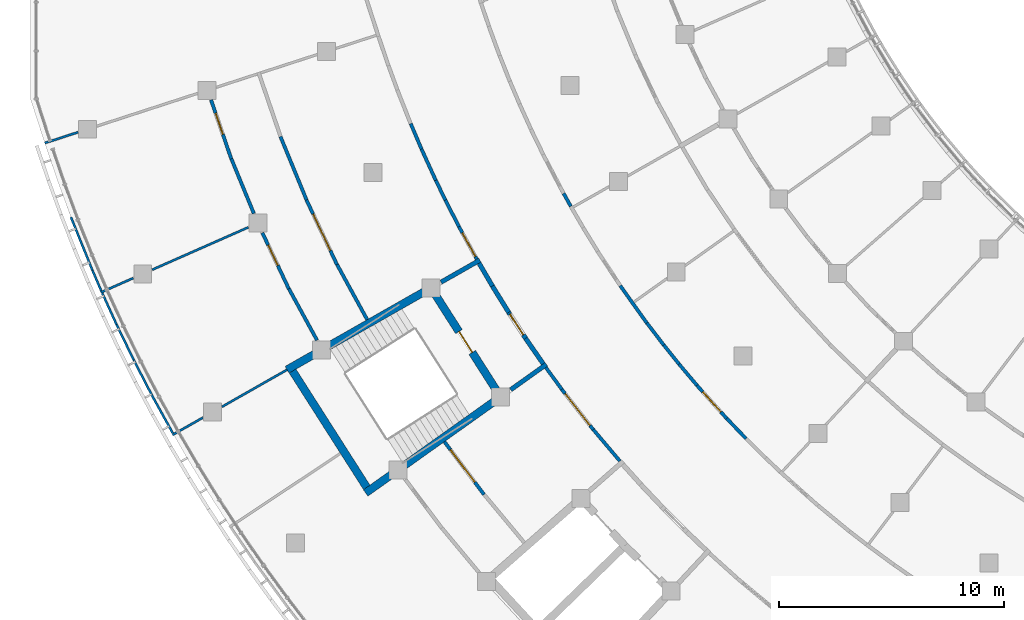
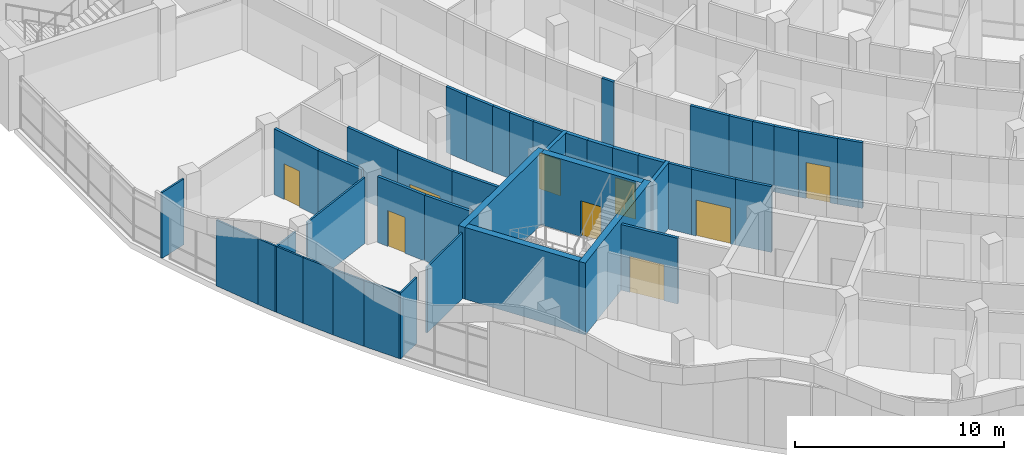
# One storey, part 53 of 109: 44 walls, 9 doors, 9 openings.
"""IFC4 building model written with IfcOpenShell, lengths in metres."""

from ifc_helpers import new_model, si_unit, direction, frame, frame_2d, origin, place, context, subcontext, project, spatial, rectangle, extrude, material, layer, layer_set, type_object, element, fill, save


model = new_model("IFC4")

# Units and contexts
model_context = context("Model", 3, precision=1e-05, world=origin(), true_north=direction((0.0, 1.0)))
body_context = subcontext(model_context, "Body", "Model", "MODEL_VIEW")
ifc_project = project(units=[si_unit("LENGTHUNIT", "METRE"), si_unit("AREAUNIT", "SQUARE_METRE"), si_unit("VOLUMEUNIT", "CUBIC_METRE"), si_unit("PLANEANGLEUNIT", "RADIAN"), si_unit("MASSUNIT", "GRAM", prefix="KILO")], contexts=[model_context])

# Site, building, storey
site_placement = place(None, origin())
site = spatial("IfcSite", under=ifc_project, at=site_placement, CompositionType="ELEMENT")
building_placement = place(site_placement, origin())
building = spatial("IfcBuilding", under=site, at=building_placement, Name="Bougainvillea Quay General Hospital", CompositionType="ELEMENT")
storey_placement = place(building_placement, frame((0.0, 0.0, 12.60009765625)))
storey = spatial("IfcBuildingStorey", under=building, at=storey_placement, Name="L02", CompositionType="ELEMENT", Elevation=12.60009765625)

# Walls
ifc_material_1 = material(Name="Gypsum board partition on steel studs", Category="steel")
ifc_layer_1 = layer(ifc_material_1, 0.10009765625)
ifc_layer_set_1 = layer_set([ifc_layer_1], Name="Gypsum board partition on steel studs")
wall_type_1 = type_object("IfcWallType", Name="Partition 100 Gypsum board partition EI 30", PredefinedType="PARTITIONING", material=ifc_layer_set_1)
wall_1_placement = place(storey_placement, frame((42.6259765625, 104.368896484375, 0.0), z_axis=(0.0, 0.0, 1.0), x_axis=(0.951042089894, 0.309061390748, 0.0)))
element("IfcWall", 1, at=wall_1_placement, inside=storey, type_object=wall_type_1, Name="Partition 100 mm EI 30", PredefinedType="PARTITIONING", context=body_context, shape_type="SweptSolid", body=[
    extrude(rectangle(XDim=1.565673828125, YDim=0.10009765625, at=frame_2d((0.78271484375, 0.0))), origin(), (0.0, 0.0, 1.0), 3.849853515625),
])
wall_2_placement = place(storey_placement, frame((48.3125, 91.371337890625, 0.0), z_axis=(0.0, 0.0, 1.0), x_axis=(0.869234661703, 0.494399739981, 0.0)))
element("IfcWall", 2, at=wall_2_placement, inside=storey, type_object=wall_type_1, Name="Partition 100 mm EI 30", PredefinedType="PARTITIONING", context=body_context, shape_type="SweptSolid", body=[
    extrude(rectangle(XDim=1.557861328125, YDim=0.10009765625, at=frame_2d((0.77880859375, 0.0))), origin(), (0.0, 0.0, 1.0), 3.849853515625),
])
wall_3_placement = place(storey_placement, frame((50.51513671875, 92.624267578125, 0.0), z_axis=(0.0, 0.0, 1.0), x_axis=(0.869240805435, 0.494388938152, 0.0)))
element("IfcWall", 3, at=wall_3_placement, inside=storey, type_object=wall_type_1, Name="Partition 100 mm EI 30", PredefinedType="PARTITIONING", context=body_context, shape_type="SweptSolid", body=[
    extrude(rectangle(XDim=3.337158203125, YDim=0.10009765625, at=frame_2d((1.66845703125, 0.0))), origin(), (0.0, 0.0, 1.0), 3.849853515625),
])
wall_4_placement = place(storey_placement, frame((45.1171875, 97.71484375, 0.0), z_axis=(0.0, 0.0, 1.0), x_axis=(0.914854349244, 0.403784001254, 0.0)))
element("IfcWall", 4, at=wall_4_placement, inside=storey, type_object=wall_type_1, Name="Partition 100 mm EI 30", PredefinedType="PARTITIONING", context=body_context, shape_type="SweptSolid", body=[
    extrude(rectangle(XDim=1.58837890625, YDim=0.10009765625, at=frame_2d((0.794189453125, 0.0))), origin(), (0.0, 0.0, 1.0), 3.849853515625),
])
wall_5_placement = place(storey_placement, frame((47.409912109375, 98.726806640625, 0.0), z_axis=(0.0, 0.0, 1.0), x_axis=(0.914855501136, 0.403781391401, 0.0)))
element("IfcWall", 5, at=wall_5_placement, inside=storey, type_object=wall_type_1, Name="Partition 100 mm EI 30", PredefinedType="PARTITIONING", context=body_context, shape_type="SweptSolid", body=[
    extrude(rectangle(XDim=4.682861328125, YDim=0.10009765625, at=frame_2d((2.34130859375, 0.0))), origin(), (0.0, 0.0, 1.0), 3.849853515625),
])
wall_6_placement = place(storey_placement, frame((43.791015625, 101.069091796875, 0.0), z_axis=(0.0, 0.0, 1.0), x_axis=(0.374360148829, -0.927283386549, 0.0)))
element("IfcWall", 6, at=wall_6_placement, inside=storey, type_object=wall_type_1, Name="Partition 100 mm EI 30", PredefinedType="PARTITIONING", context=body_context, shape_type="SweptSolid", body=[
    extrude(rectangle(XDim=2.5498046875, YDim=0.10009765625, at=frame_2d((1.27490234375, 0.0))), origin(), (0.0, 0.0, 1.0), 3.849853515625),
])
wall_7_placement = place(storey_placement, frame((47.3837890625, 93.15771484375, 0.0), z_axis=(0.0, 0.0, 1.0), x_axis=(0.483136563149, -0.87554500818, 0.0)))
element("IfcWall", 7, at=wall_7_placement, inside=storey, type_object=wall_type_1, Name="Partition 100 mm EI 30", PredefinedType="PARTITIONING", context=body_context, shape_type="SweptSolid", body=[
    extrude(rectangle(XDim=1.961669921875, YDim=0.10009765625, at=frame_2d((0.98095703125, 0.0))), origin(), (0.0, 0.0, 1.0), 3.849853515625),
])
wall_8_placement = place(storey_placement, frame((46.5830078125, 94.71240234375, 0.0), z_axis=(0.0, 0.0, 1.0), x_axis=(0.458671346527, -0.888605984604, 0.0)))
element("IfcWall", 8, at=wall_8_placement, inside=storey, type_object=wall_type_1, Name="Partition 100 mm EI 30", PredefinedType="PARTITIONING", context=body_context, shape_type="SweptSolid", body=[
    extrude(rectangle(XDim=1.750244140625, YDim=0.10009765625, at=frame_2d((0.875, 0.0))), origin(), (0.0, 0.0, 1.0), 3.849853515625),
])
wall_9_placement = place(storey_placement, frame((45.8203125, 96.285888671875, 0.0), z_axis=(0.0, 0.0, 1.0), x_axis=(0.436858804859, -0.899530091002, 0.0)))
element("IfcWall", 9, at=wall_9_placement, inside=storey, type_object=wall_type_1, Name="Partition 100 mm EI 30", PredefinedType="PARTITIONING", context=body_context, shape_type="SweptSolid", body=[
    extrude(rectangle(XDim=1.749755859375, YDim=0.10009765625, at=frame_2d((0.875, 0.0))), origin(), (0.0, 0.0, 1.0), 3.849853515625),
])
wall_10_placement = place(storey_placement, frame((45.183837890625, 97.68896484375, 0.0), z_axis=(0.0, 0.0, 1.0), x_axis=(0.413779082593, -0.910377323316, 0.0)))
element("IfcWall", 10, at=wall_10_placement, inside=storey, type_object=wall_type_1, Name="Partition 100 mm EI 30", PredefinedType="PARTITIONING", context=body_context, shape_type="SweptSolid", body=[
    extrude(rectangle(XDim=1.541748046875, YDim=0.10009765625, at=frame_2d((0.77099609375, 0.0))), origin(), (0.0, 0.0, 1.0), 3.849853515625),
])
wall_11_placement = place(storey_placement, frame((44.746337890625, 98.7060546875, 0.0), z_axis=(0.0, 0.0, 1.0), x_axis=(0.394329278157, -0.918969216235, 0.0)))
element("IfcWall", 11, at=wall_11_placement, inside=storey, type_object=wall_type_1, Name="Partition 100 mm EI 30", PredefinedType="PARTITIONING", context=body_context, shape_type="SweptSolid", body=[
    extrude(rectangle(XDim=1.006103515625, YDim=0.10009765625, at=frame_2d((0.5029296875, 0.0))), origin(), (0.0, 0.0, 1.0), 3.849853515625),
])

# Wall, opening, door
ifc_material_2 = material(Name="Gypsum board partition on steel studs, insulated", Category="steel")
ifc_layer_2 = layer(ifc_material_2, 0.14990234375)
ifc_layer_set_2 = layer_set([ifc_layer_2], Name="Gypsum board partition on steel studs, insulated")
wall_type_2 = type_object("IfcWallType", Name="Partition 150 Gypsum board partition EI 30", PredefinedType="PARTITIONING", material=ifc_layer_set_2)
wall_12_placement = place(storey_placement, frame((50.03076171875, 106.2890625, 0.0), z_axis=(0.0, 0.0, 1.0), x_axis=(0.324824658283, -0.945774254974, 0.0)))
wall_12 = element("IfcWall", 12, at=wall_12_placement, inside=storey, type_object=wall_type_2, Name="Partition 150 mm EI 30", PredefinedType="PARTITIONING", context=body_context, shape_type="SweptSolid", body=[
    extrude(rectangle(XDim=2.78173828125, YDim=0.14990234375, at=frame_2d((1.390869140625, 0.0))), origin(), (0.0, 0.0, 1.0), 3.849853515625),
])
opening_1_placement = place(wall_12_placement, frame((0.62451171875, 0.0, 0.0)))
opening_1 = element("IfcOpeningElement", 13, at=opening_1_placement, cuts=wall_12, Name="Opening L02.207", PredefinedType="OPENING", context=body_context, shape_type="SweptSolid", body=[
    extrude(rectangle(XDim=1.0, YDim=2.10009765625, at=frame_2d((0.5, 1.050048828125))), frame((0.0, 0.0849609375, 0.0), z_axis=(0.0, -1.0, 0.0), x_axis=(1.0, 0.0, 0.0)), (0.0, 0.0, 1.0), 0.169921875),
])
ifc_material_3 = material(Name="Solid-core timber door leaf in steel frame", Category="steel")
door_type_1 = type_object("IfcDoorType", Name="Single leaf door 1000x2100 FD30S", OperationType="NOTDEFINED", PredefinedType="DOOR", material=ifc_material_3)
door_1_placement = place(opening_1_placement, frame((1.0, 0.0, 0.0), z_axis=(0.0, 0.0, 1.0), x_axis=(-1.0, 0.0, 0.0)))
door_1 = element("IfcDoor", 14, at=door_1_placement, inside=storey, type_object=door_type_1, Name="DT15 L02.207", OperationType="SINGLE_SWING_RIGHT", OverallHeight=2.10009765625, OverallWidth=1.0, PredefinedType="DOOR", context=body_context, shape_type="SweptSolid", body=[
    extrude(rectangle(XDim=1.0, YDim=2.10009765625, at=frame_2d((0.5, 1.050048828125))), frame((0.0, 0.02490234375, 0.0), z_axis=(0.0, -1.0, 0.0), x_axis=(1.0, 0.0, 0.0)), (0.0, 0.0, 1.0), 0.050048828125),
])
fill(opening_1, door_1)

wall_13_placement = place(storey_placement, frame((52.3173828125, 100.37158203125, 0.0), z_axis=(0.0, 0.0, 1.0), x_axis=(0.426699152938, -0.904393627179, 0.0)))
wall_13 = element("IfcWall", 15, at=wall_13_placement, inside=storey, type_object=wall_type_2, Name="Partition 150 mm EI 30", PredefinedType="PARTITIONING", context=body_context, shape_type="SweptSolid", body=[
    extrude(rectangle(XDim=2.762451171875, YDim=0.14990234375, at=frame_2d((1.38134765625, 0.0))), origin(), (0.0, 0.0, 1.0), 3.849853515625),
])
opening_2_placement = place(wall_13_placement, frame((0.605224609375, 0.0, 0.0)))
opening_2 = element("IfcOpeningElement", 16, at=opening_2_placement, cuts=wall_13, Name="Opening L02.206", PredefinedType="OPENING", context=body_context, shape_type="SweptSolid", body=[
    extrude(rectangle(XDim=1.0, YDim=2.10009765625, at=frame_2d((0.5, 1.050048828125))), frame((0.0, 0.0849609375, 0.0), z_axis=(0.0, -1.0, 0.0), x_axis=(1.0, 0.0, 0.0)), (0.0, 0.0, 1.0), 0.169921875),
])
door_2_placement = place(opening_2_placement, frame((1.0, 0.0, 0.0), z_axis=(0.0, 0.0, 1.0), x_axis=(-1.0, 0.0, 0.0)))
door_2 = element("IfcDoor", 17, at=door_2_placement, inside=storey, type_object=door_type_1, Name="DT15 L02.206", OperationType="SINGLE_SWING_RIGHT", OverallHeight=2.10009765625, OverallWidth=1.0, PredefinedType="DOOR", context=body_context, shape_type="SweptSolid", body=[
    extrude(rectangle(XDim=1.0, YDim=2.10009765625, at=frame_2d((0.5, 1.050048828125))), frame((0.0, 0.02490234375, 0.0), z_axis=(0.0, -1.0, 0.0), x_axis=(1.0, 0.0, 0.0)), (0.0, 0.0, 1.0), 0.050048828125),
])
fill(opening_2, door_2)

# Walls
wall_14_placement = place(storey_placement, frame((50.93701171875, 103.66357421875, 0.0), z_axis=(0.0, 0.0, 1.0), x_axis=(0.380525729279, -0.924770333302, 0.0)))
element("IfcWall", 18, at=wall_14_placement, inside=storey, type_object=wall_type_2, Name="Partition 150 mm EI 30", PredefinedType="PARTITIONING", context=body_context, shape_type="SweptSolid", body=[
    extrude(rectangle(XDim=2.630615234375, YDim=0.14990234375, at=frame_2d((1.3154296875, 0.0))), origin(), (0.0, 0.0, 1.0), 3.849853515625),
])
wall_15_placement = place(storey_placement, frame((53.497802734375, 97.87890625, 0.0), z_axis=(0.0, 0.0, 1.0), x_axis=(0.479886541842, -0.877330557407, 0.0)))
element("IfcWall", 19, at=wall_15_placement, inside=storey, type_object=wall_type_2, Name="Partition 150 mm EI 30", PredefinedType="PARTITIONING", context=body_context, shape_type="SweptSolid", body=[
    extrude(rectangle(XDim=2.61181640625, YDim=0.14990234375, at=frame_2d((1.305908203125, 0.0))), origin(), (0.0, 0.0, 1.0), 3.849853515625),
])

# Wall, opening, door
wall_16_placement = place(storey_placement, frame((54.277099609375, 101.83984375, 0.0), z_axis=(0.0, 0.0, 1.0), x_axis=(0.426790955489, -0.904350308405, 0.0)))
wall_16 = element("IfcWall", 20, at=wall_16_placement, inside=storey, type_object=wall_type_2, Name="Partition 150 mm EI 30", PredefinedType="PARTITIONING", context=body_context, shape_type="SweptSolid", body=[
    extrude(rectangle(XDim=3.193115234375, YDim=0.14990234375, at=frame_2d((1.5966796875, 0.0))), origin(), (0.0, 0.0, 1.0), 3.849853515625),
])
opening_3_placement = place(wall_16_placement, frame((0.696533203125, 0.0, 0.0)))
opening_3 = element("IfcOpeningElement", 21, at=opening_3_placement, cuts=wall_16, Name="Opening L02.177", PredefinedType="OPENING", context=body_context, shape_type="SweptSolid", body=[
    extrude(rectangle(XDim=1.800048828125, YDim=2.10009765625, at=frame_2d((0.89990234375, 1.050048828125))), frame((0.0, 0.0849609375, 0.0), z_axis=(0.0, -1.0, 0.0), x_axis=(1.0, 0.0, 0.0)), (0.0, 0.0, 1.0), 0.169921875),
])
ifc_material_4 = material(Name="Solid-core timber door leaves in steel frame", Category="steel")
door_type_2 = type_object("IfcDoorType", Name="Double leaf door 1800x2100", OperationType="DOUBLE_DOOR_SINGLE_SWING", PredefinedType="DOOR", material=ifc_material_4)
door_3_placement = place(opening_3_placement, frame((1.800048828125, 0.0, 0.0), z_axis=(0.0, 0.0, 1.0), x_axis=(-1.0, 0.0, 0.0)))
door_3 = element("IfcDoor", 22, at=door_3_placement, inside=storey, type_object=door_type_2, Name="DT08 L02.177", OperationType="DOUBLE_DOOR_SINGLE_SWING", OverallHeight=2.10009765625, OverallWidth=1.800048828125, PredefinedType="DOOR", context=body_context, shape_type="SweptSolid", body=[
    extrude(rectangle(XDim=1.800048828125, YDim=2.10009765625, at=frame_2d((0.89990234375, 1.050048828125))), frame((0.0, 0.02490234375, 0.0), z_axis=(0.0, -1.0, 0.0), x_axis=(1.0, 0.0, 0.0)), (0.0, 0.0, 1.0), 0.050048828125),
])
fill(opening_3, door_3)

# Wall
wall_17_placement = place(storey_placement, frame((53.12255859375, 104.655517578125, 0.0), z_axis=(0.0, 0.0, 1.0), x_axis=(0.380463637507, -0.92479588047, 0.0)))
element("IfcWall", 23, at=wall_17_placement, inside=storey, type_object=wall_type_2, Name="Partition 150 mm EI 30", PredefinedType="PARTITIONING", context=body_context, shape_type="SweptSolid", body=[
    extrude(rectangle(XDim=3.046875, YDim=0.14990234375, at=frame_2d((1.5234375, 0.0))), origin(), (0.0, 0.0, 1.0), 3.849853515625),
])

# Wall, opening, door
wall_18_placement = place(storey_placement, frame((60.4228515625, 91.06787109375, 0.0), z_axis=(0.0, 0.0, 1.0), x_axis=(0.600119519183, -0.799910346661, 0.0)))
wall_18 = element("IfcWall", 24, at=wall_18_placement, inside=storey, type_object=wall_type_2, Name="Partition 150 mm EI 30", PredefinedType="PARTITIONING", context=body_context, shape_type="SweptSolid", body=[
    extrude(rectangle(XDim=2.94140625, YDim=0.14990234375, at=frame_2d((1.470703125, 0.0))), origin(), (0.0, 0.0, 1.0), 3.849853515625),
])
opening_4_placement = place(wall_18_placement, frame((0.44482421875, 0.0, 0.0)))
opening_4 = element("IfcOpeningElement", 25, at=opening_4_placement, cuts=wall_18, Name="Opening L02.176", PredefinedType="OPENING", context=body_context, shape_type="SweptSolid", body=[
    extrude(rectangle(XDim=1.800048828125, YDim=2.10009765625, at=frame_2d((0.89990234375, 1.050048828125))), frame((0.0, 0.0849609375, 0.0), z_axis=(0.0, -1.0, 0.0), x_axis=(1.0, 0.0, 0.0)), (0.0, 0.0, 1.0), 0.169921875),
])
door_4_placement = place(opening_4_placement, frame((1.800048828125, 0.0, 0.0), z_axis=(0.0, 0.0, 1.0), x_axis=(-1.0, 0.0, 0.0)))
door_4 = element("IfcDoor", 26, at=door_4_placement, inside=storey, type_object=door_type_2, Name="DT08 L02.176", OperationType="DOUBLE_DOOR_SINGLE_SWING", OverallHeight=2.10009765625, OverallWidth=1.800048828125, PredefinedType="DOOR", context=body_context, shape_type="SweptSolid", body=[
    extrude(rectangle(XDim=1.800048828125, YDim=2.10009765625, at=frame_2d((0.89990234375, 1.050048828125))), frame((0.0, 0.02490234375, 0.0), z_axis=(0.0, -1.0, 0.0), x_axis=(1.0, 0.0, 0.0)), (0.0, 0.0, 1.0), 0.050048828125),
])
fill(opening_4, door_4)

# Wall
wall_19_placement = place(storey_placement, frame((55.64208984375, 98.9580078125, 0.0), z_axis=(0.0, 0.0, 1.0), x_axis=(0.479861725731, -0.877344130988, 0.0)))
element("IfcWall", 27, at=wall_19_placement, inside=storey, type_object=wall_type_2, Name="Partition 150 mm EI 30", PredefinedType="PARTITIONING", context=body_context, shape_type="SweptSolid", body=[
    extrude(rectangle(XDim=2.794677734375, YDim=0.14990234375, at=frame_2d((1.3974609375, 0.0))), origin(), (0.0, 0.0, 1.0), 3.849853515625),
])

# Wall, opening, door
wall_20_placement = place(storey_placement, frame((65.646728515625, 93.401123046875, 0.0), z_axis=(0.0, 0.0, 1.0), x_axis=(0.615999292534, -0.787746705228, 0.0)))
wall_20 = element("IfcWall", 28, at=wall_20_placement, inside=storey, type_object=wall_type_2, Name="Partition 150 mm EI 30", PredefinedType="PARTITIONING", context=body_context, shape_type="SweptSolid", body=[
    extrude(rectangle(XDim=2.280029296875, YDim=0.14990234375, at=frame_2d((1.14013671875, 0.0))), origin(), (0.0, 0.0, 1.0), 3.849853515625),
])
opening_5_placement = place(wall_20_placement, frame((0.239990234375, 0.0, 0.0)))
opening_5 = element("IfcOpeningElement", 29, at=opening_5_placement, cuts=wall_20, Name="Opening L02.190", PredefinedType="OPENING", context=body_context, shape_type="SweptSolid", body=[
    extrude(rectangle(XDim=1.800048828125, YDim=2.10009765625, at=frame_2d((0.89990234375, 1.050048828125))), frame((0.0, 0.0849609375, 0.0), z_axis=(0.0, -1.0, 0.0), x_axis=(1.0, 0.0, 0.0)), (0.0, 0.0, 1.0), 0.169921875),
])
door_5_placement = place(opening_5_placement, origin())
door_5 = element("IfcDoor", 30, at=door_5_placement, inside=storey, type_object=door_type_2, Name="DT08 L02.190", OperationType="DOUBLE_DOOR_SINGLE_SWING", OverallHeight=2.10009765625, OverallWidth=1.800048828125, PredefinedType="DOOR", context=body_context, shape_type="SweptSolid", body=[
    extrude(rectangle(XDim=1.800048828125, YDim=2.10009765625, at=frame_2d((0.89990234375, 1.050048828125))), frame((0.0, 0.02490234375, 0.0), z_axis=(0.0, -1.0, 0.0), x_axis=(1.0, 0.0, 0.0)), (0.0, 0.0, 1.0), 0.050048828125),
])
fill(opening_5, door_5)

# Walls
wall_21_placement = place(storey_placement, frame((67.051513671875, 91.60888671875, 0.0), z_axis=(0.0, 0.0, 1.0), x_axis=(0.645369063346, -0.763870913228, 0.0)))
element("IfcWall", 31, at=wall_21_placement, inside=storey, type_object=wall_type_2, Name="Partition 150 mm EI 30", PredefinedType="PARTITIONING", context=body_context, shape_type="SweptSolid", body=[
    extrude(rectangle(XDim=1.83349609375, YDim=0.14990234375, at=frame_2d((0.916748046875, 0.0))), origin(), (0.0, 0.0, 1.0), 3.849853515625),
])
wall_22_placement = place(storey_placement, frame((68.247314453125, 98.02001953125, 0.0), z_axis=(0.0, 0.0, 1.0), x_axis=(0.580842026392, -0.81401630228, 0.0)))
element("IfcWall", 32, at=wall_22_placement, inside=storey, type_object=wall_type_2, Name="Partition 150 mm EI 30", PredefinedType="PARTITIONING", context=body_context, shape_type="SweptSolid", body=[
    extrude(rectangle(XDim=2.040771484375, YDim=0.14990234375, at=frame_2d((1.0205078125, 0.0))), origin(), (0.0, 0.0, 1.0), 3.849853515625),
])

# Wall, opening, door
wall_23_placement = place(storey_placement, frame((71.666748046875, 93.576904296875, 0.0), z_axis=(0.0, 0.0, 1.0), x_axis=(0.668733315137, -0.743502355898, 0.0)))
wall_23 = element("IfcWall", 33, at=wall_23_placement, inside=storey, type_object=wall_type_2, Name="Partition 150 mm EI 30", PredefinedType="PARTITIONING", context=body_context, shape_type="SweptSolid", body=[
    extrude(rectangle(XDim=1.98193359375, YDim=0.14990234375, at=frame_2d((0.990966796875, 0.0))), origin(), (0.0, 0.0, 1.0), 3.849853515625),
])
opening_6_placement = place(wall_23_placement, frame((0.390869140625, 0.0, 0.0)))
opening_6 = element("IfcOpeningElement", 34, at=opening_6_placement, cuts=wall_23, Name="Opening L02.193", PredefinedType="OPENING", context=body_context, shape_type="SweptSolid", body=[
    extrude(rectangle(XDim=1.199951171875, YDim=2.10009765625, at=frame_2d((0.60009765625, 1.050048828125))), frame((0.0, 0.0849609375, 0.0), z_axis=(0.0, -1.0, 0.0), x_axis=(1.0, 0.0, 0.0)), (0.0, 0.0, 1.0), 0.169921875),
])
door_type_3 = type_object("IfcDoorType", Name="Single leaf door 1200x2100", OperationType="NOTDEFINED", PredefinedType="DOOR", material=ifc_material_3)
door_6_placement = place(opening_6_placement, frame((1.199951171875, 0.0, 0.0), z_axis=(0.0, 0.0, 1.0), x_axis=(-1.0, 0.0, 0.0)))
door_6 = element("IfcDoor", 35, at=door_6_placement, inside=storey, type_object=door_type_3, Name="DT13 L02.193", OperationType="SINGLE_SWING_RIGHT", OverallHeight=2.10009765625, OverallWidth=1.199951171875, PredefinedType="DOOR", context=body_context, shape_type="SweptSolid", body=[
    extrude(rectangle(XDim=1.199951171875, YDim=2.10009765625, at=frame_2d((0.60009765625, 1.050048828125))), frame((0.0, 0.02490234375, 0.0), z_axis=(0.0, -1.0, 0.0), x_axis=(1.0, 0.0, 0.0)), (0.0, 0.0, 1.0), 0.050048828125),
])
fill(opening_6, door_6)

wall_24_placement = place(storey_placement, frame((61.07080078125, 100.640869140625, 0.0), z_axis=(0.0, 0.0, 1.0), x_axis=(0.481122709727, -0.876653259952, 0.0)))
wall_24 = element("IfcWall", 36, at=wall_24_placement, inside=storey, type_object=wall_type_2, Name="Partition 150 mm EI 30", PredefinedType="PARTITIONING", context=body_context, shape_type="SweptSolid", body=[
    extrude(rectangle(XDim=1.648681640625, YDim=0.14990234375, at=frame_2d((0.82421875, 0.0))), origin(), (0.0, 0.0, 1.0), 3.849853515625),
])
opening_7_placement = place(wall_24_placement, frame((0.312744140625, 0.0, 0.0)))
opening_7 = element("IfcOpeningElement", 37, at=opening_7_placement, cuts=wall_24, Name="Opening L02.191", PredefinedType="OPENING", context=body_context, shape_type="SweptSolid", body=[
    extrude(rectangle(XDim=1.199951171875, YDim=2.10009765625, at=frame_2d((0.60009765625, 1.050048828125))), frame((0.0, 0.0849609375, 0.0), z_axis=(0.0, -1.0, 0.0), x_axis=(1.0, 0.0, 0.0)), (0.0, 0.0, 1.0), 0.169921875),
])
door_7_placement = place(opening_7_placement, origin())
door_7 = element("IfcDoor", 38, at=door_7_placement, inside=storey, type_object=door_type_3, Name="DT13 L02.191", OperationType="SINGLE_SWING_RIGHT", OverallHeight=2.10009765625, OverallWidth=1.199951171875, PredefinedType="DOOR", context=body_context, shape_type="SweptSolid", body=[
    extrude(rectangle(XDim=1.199951171875, YDim=2.10009765625, at=frame_2d((0.60009765625, 1.050048828125))), frame((0.0, 0.02490234375, 0.0), z_axis=(0.0, -1.0, 0.0), x_axis=(1.0, 0.0, 0.0)), (0.0, 0.0, 1.0), 0.050048828125),
])
fill(opening_7, door_7)

# Walls
wall_25_placement = place(storey_placement, frame((64.939208984375, 94.373779296875, 0.0), z_axis=(0.0, 0.0, 1.0), x_axis=(0.589904843898, -0.807472770529, 0.0)))
element("IfcWall", 39, at=wall_25_placement, inside=storey, type_object=wall_type_2, Name="Partition 150 mm EI 30", PredefinedType="PARTITIONING", context=body_context, shape_type="SweptSolid", body=[
    extrude(rectangle(XDim=1.205078125, YDim=0.14990234375, at=frame_2d((0.6025390625, 0.0))), origin(), (0.0, 0.0, 1.0), 3.849853515625),
])
wall_26_placement = place(storey_placement, frame((59.40087890625, 104.101318359375, 0.0), z_axis=(0.0, 0.0, 1.0), x_axis=(0.415269380583, -0.909698489363, 0.0)))
element("IfcWall", 40, at=wall_26_placement, inside=storey, type_object=wall_type_2, Name="Partition 150 mm EI 30", PredefinedType="PARTITIONING", context=body_context, shape_type="SweptSolid", body=[
    extrude(rectangle(XDim=1.52978515625, YDim=0.14990234375, at=frame_2d((0.764892578125, 0.0))), origin(), (0.0, 0.0, 1.0), 3.849853515625),
])
wall_27_placement = place(storey_placement, frame((58.919677734375, 105.23486328125, 0.0), z_axis=(0.0, 0.0, 1.0), x_axis=(0.392150618993, -0.919901022949, 0.0)))
element("IfcWall", 41, at=wall_27_placement, inside=storey, type_object=wall_type_2, Name="Partition 150 mm EI 30", PredefinedType="PARTITIONING", context=body_context, shape_type="SweptSolid", body=[
    extrude(rectangle(XDim=1.2333984375, YDim=0.14990234375, at=frame_2d((0.61669921875, 0.0))), origin(), (0.0, 0.0, 1.0), 3.849853515625),
])
wall_28_placement = place(storey_placement, frame((60.461669921875, 101.831787109375, 0.0), z_axis=(0.0, 0.0, 1.0), x_axis=(0.456808582034, -0.889565016949, 0.0)))
element("IfcWall", 42, at=wall_28_placement, inside=storey, type_object=wall_type_2, Name="Partition 150 mm EI 30", PredefinedType="PARTITIONING", context=body_context, shape_type="SweptSolid", body=[
    extrude(rectangle(XDim=1.33984375, YDim=0.14990234375, at=frame_2d((0.669921875, 0.0))), origin(), (0.0, 0.0, 1.0), 3.849853515625),
])
wall_29_placement = place(storey_placement, frame((69.43310546875, 96.3623046875, 0.0), z_axis=(0.0, 0.0, 1.0), x_axis=(0.606457599152, -0.795115828311, 0.0)))
element("IfcWall", 43, at=wall_29_placement, inside=storey, type_object=wall_type_2, Name="Partition 150 mm EI 30", PredefinedType="PARTITIONING", context=body_context, shape_type="SweptSolid", body=[
    extrude(rectangle(XDim=1.242431640625, YDim=0.14990234375, at=frame_2d((0.62109375, 0.0))), origin(), (0.0, 0.0, 1.0), 3.849853515625),
])
wall_30_placement = place(storey_placement, frame((72.9921875, 92.1064453125, 0.0), z_axis=(0.0, 0.0, 1.0), x_axis=(0.691209259047, -0.72265466179, 0.0)))
element("IfcWall", 44, at=wall_30_placement, inside=storey, type_object=wall_type_2, Name="Partition 150 mm EI 30", PredefinedType="PARTITIONING", context=body_context, shape_type="SweptSolid", body=[
    extrude(rectangle(XDim=1.2421875, YDim=0.14990234375, at=frame_2d((0.62109375, 0.0))), origin(), (0.0, 0.0, 1.0), 3.849853515625),
])
wall_31_placement = place(storey_placement, frame((70.86865234375, 94.525390625, 0.0), z_axis=(0.0, 0.0, 1.0), x_axis=(0.645236922374, -0.763982535144, 0.0)))
element("IfcWall", 45, at=wall_31_placement, inside=storey, type_object=wall_type_2, Name="Partition 150 mm EI 30", PredefinedType="PARTITIONING", context=body_context, shape_type="SweptSolid", body=[
    extrude(rectangle(XDim=1.241943359375, YDim=0.14990234375, at=frame_2d((0.62109375, 0.0))), origin(), (0.0, 0.0, 1.0), 3.849853515625),
])
wall_32_placement = place(storey_placement, frame((70.186767578125, 95.376953125, 0.0), z_axis=(0.0, 0.0, 1.0), x_axis=(0.626301399266, -0.779581013928, 0.0)))
element("IfcWall", 46, at=wall_32_placement, inside=storey, type_object=wall_type_2, Name="Partition 150 mm EI 30", PredefinedType="PARTITIONING", context=body_context, shape_type="SweptSolid", body=[
    extrude(rectangle(XDim=1.092529296875, YDim=0.14990234375, at=frame_2d((0.54638671875, 0.0))), origin(), (0.0, 0.0, 1.0), 3.849853515625),
])
wall_33_placement = place(storey_placement, frame((60.037109375, 102.7119140625, 0.0), z_axis=(0.0, 0.0, 1.0), x_axis=(0.43620619425, -0.899846740339, 0.0)))
element("IfcWall", 47, at=wall_33_placement, inside=storey, type_object=wall_type_2, Name="Partition 150 mm EI 30", PredefinedType="PARTITIONING", context=body_context, shape_type="SweptSolid", body=[
    extrude(rectangle(XDim=0.97900390625, YDim=0.14990234375, at=frame_2d((0.489501953125, 0.0))), origin(), (0.0, 0.0, 1.0), 3.849853515625),
])
wall_34_placement = place(storey_placement, frame((65.7275390625, 102.1279296875, 0.0), z_axis=(0.0, 0.0, 1.0), x_axis=(0.48582985227, -0.874053404915, 0.0)))
element("IfcWall", 48, at=wall_34_placement, inside=storey, type_object=wall_type_2, Name="Partition 150 mm EI 30", PredefinedType="PARTITIONING", context=body_context, shape_type="SweptSolid", body=[
    extrude(rectangle(XDim=0.665283203125, YDim=0.14990234375, at=frame_2d((0.33251953125, 0.0))), origin(), (0.0, 0.0, 1.0), 3.849853515625),
])
ifc_material_5 = material(Name="Fire-rated autoclaved aerated block wall, plastered")
ifc_layer_3 = layer(ifc_material_5, 0.199951171875)
ifc_layer_set_3 = layer_set([ifc_layer_3], Name="Fire-rated autoclaved aerated block wall, plastered")
wall_type_3 = type_object("IfcWallType", Name="Partition 200 Fire-rated autoclaved aerated block wall EI 120", PredefinedType="SOLIDWALL", material=ifc_layer_set_3)
wall_35_placement = place(storey_placement, frame((60.2744140625, 98.1748046875, 0.0), z_axis=(0.0, 0.0, 1.0), x_axis=(0.869398915424, 0.494110843698, 0.0)))
element("IfcWall", 49, at=wall_35_placement, inside=storey, type_object=wall_type_3, Name="Partition 200 mm EI 120", PredefinedType="SOLIDWALL", context=body_context, shape_type="SweptSolid", body=[
    extrude(rectangle(XDim=1.98486328125, YDim=0.199951171875, at=frame_2d((0.992431640625, 0.0))), origin(), (0.0, 0.0, 1.0), 3.849853515625),
])
wall_36_placement = place(storey_placement, frame((63.3740234375, 93.385009765625, 0.0), z_axis=(0.0, 0.0, 1.0), x_axis=(0.814765781477, 0.579790239081, 0.0)))
element("IfcWall", 50, at=wall_36_placement, inside=storey, type_object=wall_type_3, Name="Partition 200 mm EI 120", PredefinedType="SOLIDWALL", context=body_context, shape_type="SweptSolid", body=[
    extrude(rectangle(XDim=1.947021484375, YDim=0.199951171875, at=frame_2d((0.9736328125, 0.0))), origin(), (0.0, 0.0, 1.0), 3.849853515625),
])
wall_37_placement = place(storey_placement, frame((64.035888671875, 95.672119140625, 0.0), z_axis=(0.0, 0.0, 1.0), x_axis=(0.569771647524, -0.821803060153, 0.0)))
element("IfcWall", 51, at=wall_37_placement, inside=storey, type_object=wall_type_3, Name="Partition 200 mm EI 120", PredefinedType="SOLIDWALL", context=body_context, shape_type="SweptSolid", body=[
    extrude(rectangle(XDim=1.37841796875, YDim=0.199951171875, at=frame_2d((0.689208984375, 0.0))), origin(), (0.0, 0.0, 1.0), 3.849853515625),
])

# Wall, opening, door
wall_38_placement = place(storey_placement, frame((63.2822265625, 96.82763671875, 0.0), z_axis=(0.0, 0.0, 1.0), x_axis=(0.54791545279, -0.836533715156, 0.0)))
wall_38 = element("IfcWall", 52, at=wall_38_placement, inside=storey, type_object=wall_type_3, Name="Partition 200 mm EI 120", PredefinedType="SOLIDWALL", context=body_context, shape_type="SweptSolid", body=[
    extrude(rectangle(XDim=1.382080078125, YDim=0.199951171875, at=frame_2d((0.69091796875, 0.0))), origin(), (0.0, 0.0, 1.0), 3.849853515625),
])
opening_8_placement = place(wall_38_placement, frame((0.10009765625, 0.0, 0.0)))
opening_8 = element("IfcOpeningElement", 53, at=opening_8_placement, cuts=wall_38, Name="Opening L02.268", PredefinedType="OPENING", context=body_context, shape_type="SweptSolid", body=[
    extrude(rectangle(XDim=1.10009765625, YDim=2.10009765625, at=frame_2d((0.550048828125, 1.050048828125))), frame((0.0, 0.10986328125, 0.0), z_axis=(0.0, -1.0, 0.0), x_axis=(1.0, 0.0, 0.0)), (0.0, 0.0, 1.0), 0.219970703125),
])
ifc_material_6 = material(Name="Steel fire door leaf in steel frame", Category="steel")
door_type_4 = type_object("IfcDoorType", Name="Steel single leaf door 1100x2100 FD60", OperationType="NOTDEFINED", PredefinedType="DOOR", material=ifc_material_6)
door_8_placement = place(opening_8_placement, frame((1.10009765625, 0.0, 0.0), z_axis=(0.0, 0.0, 1.0), x_axis=(-1.0, 0.0, 0.0)))
door_8 = element("IfcDoor", 54, at=door_8_placement, inside=storey, type_object=door_type_4, Name="DT04 L02.268", OperationType="SINGLE_SWING_RIGHT", OverallHeight=2.10009765625, OverallWidth=1.10009765625, PredefinedType="DOOR", context=body_context, shape_type="SweptSolid", body=[
    extrude(rectangle(XDim=1.10009765625, YDim=2.10009765625, at=frame_2d((0.550048828125, 1.050048828125))), frame((0.0, 0.02490234375, 0.0), z_axis=(0.0, -1.0, 0.0), x_axis=(1.0, 0.0, 0.0)), (0.0, 0.0, 1.0), 0.050048828125),
])
fill(opening_8, door_8)

# Walls
wall_39_placement = place(storey_placement, frame((62.557373046875, 98.0009765625, 0.0), z_axis=(0.0, 0.0, 1.0), x_axis=(0.526993282669, -0.849869448811, 0.0)))
element("IfcWall", 55, at=wall_39_placement, inside=storey, type_object=wall_type_3, Name="Partition 200 mm EI 120", PredefinedType="SOLIDWALL", context=body_context, shape_type="SweptSolid", body=[
    extrude(rectangle(XDim=1.381591796875, YDim=0.199951171875, at=frame_2d((0.69091796875, 0.0))), origin(), (0.0, 0.0, 1.0), 3.849853515625),
])
wall_40_placement = place(storey_placement, frame((61.964111328125, 99.0185546875, 0.0), z_axis=(0.0, 0.0, 1.0), x_axis=(0.505554921375, -0.862794425963, 0.0)))
element("IfcWall", 56, at=wall_40_placement, inside=storey, type_object=wall_type_3, Name="Partition 200 mm EI 120", PredefinedType="SOLIDWALL", context=body_context, shape_type="SweptSolid", body=[
    extrude(rectangle(XDim=1.18017578125, YDim=0.199951171875, at=frame_2d((0.590087890625, 0.0))), origin(), (0.0, 0.0, 1.0), 3.849853515625),
])
ifc_material_7 = material(Name="Concrete C40", Category="concrete")
ifc_layer_4 = layer(ifc_material_7, 0.35009765625)
ifc_layer_set_4 = layer_set([ifc_layer_4], Name="Concrete C40")
wall_type_4 = type_object("IfcWallType", Name="RC SHEAR WALL 350 C40", PredefinedType="SHEAR", material=ifc_layer_set_4)
wall_41_placement = place(storey_placement, frame((53.415771484375, 94.2744140625, 0.0), z_axis=(0.0, 0.0, 1.0), x_axis=(0.869250335475, 0.494372181941, 0.0)))
element("IfcWall", 57, at=wall_41_placement, inside=storey, type_object=wall_type_4, Name="Shear wall L02", PredefinedType="SHEAR", context=body_context, shape_type="SweptSolid", body=[
    extrude(rectangle(XDim=7.54931640625, YDim=0.35009765625, at=frame_2d((3.774658203125, 0.0))), origin(), (0.0, 0.0, 1.0), 4.199951171875),
])
wall_42_placement = place(storey_placement, frame((56.91552734375, 88.78857421875, 0.0), z_axis=(0.0, 0.0, 1.0), x_axis=(0.814717690591, 0.579857814157, 0.0)))
element("IfcWall", 58, at=wall_42_placement, inside=storey, type_object=wall_type_4, Name="Shear wall L02", PredefinedType="SHEAR", context=body_context, shape_type="SweptSolid", body=[
    extrude(rectangle(XDim=7.550048828125, YDim=0.35009765625, at=frame_2d((3.77490234375, 0.0))), origin(), (0.0, 0.0, 1.0), 4.199951171875),
])
wall_43_placement = place(storey_placement, frame((56.9638671875, 89.03759765625, 0.0), z_axis=(0.0, 0.0, 1.0), x_axis=(-0.537811796172, 0.843064927451, 0.0)))
element("IfcWall", 59, at=wall_43_placement, inside=storey, type_object=wall_type_4, Name="Shear wall L02", PredefinedType="SHEAR", context=body_context, shape_type="SweptSolid", body=[
    extrude(rectangle(XDim=6.13916015625, YDim=0.35009765625, at=frame_2d((3.069580078125, 0.0))), origin(), (0.0, 0.0, 1.0), 4.199951171875),
])

# Wall, opening, door
wall_44_placement = place(storey_placement, frame((62.829833984375, 93.21240234375, 0.0), z_axis=(0.0, 0.0, 1.0), x_axis=(-0.537903079352, 0.843006688718, 0.0)))
wall_44 = element("IfcWall", 60, at=wall_44_placement, inside=storey, type_object=wall_type_4, Name="Shear wall L02", PredefinedType="SHEAR", context=body_context, shape_type="SweptSolid", body=[
    extrude(rectangle(XDim=5.4091796875, YDim=0.35009765625, at=frame_2d((2.70458984375, 0.0))), origin(), (0.0, 0.0, 1.0), 4.199951171875),
])
opening_9_placement = place(wall_44_placement, frame((2.173828125, 0.0, 0.0)))
opening_9 = element("IfcOpeningElement", 61, at=opening_9_placement, cuts=wall_44, Name="Opening L02.267", PredefinedType="OPENING", context=body_context, shape_type="SweptSolid", body=[
    extrude(rectangle(XDim=1.10009765625, YDim=2.10009765625, at=frame_2d((0.550048828125, 1.050048828125))), frame((0.0, 0.18505859375, 0.0), z_axis=(0.0, -1.0, 0.0), x_axis=(1.0, 0.0, 0.0)), (0.0, 0.0, 1.0), 0.3701171875),
])
door_9_placement = place(opening_9_placement, origin())
door_9 = element("IfcDoor", 62, at=door_9_placement, inside=storey, type_object=door_type_4, Name="DT04 L02.267", OperationType="SINGLE_SWING_RIGHT", OverallHeight=2.10009765625, OverallWidth=1.10009765625, PredefinedType="DOOR", context=body_context, shape_type="SweptSolid", body=[
    extrude(rectangle(XDim=1.10009765625, YDim=2.10009765625, at=frame_2d((0.550048828125, 1.050048828125))), frame((0.0, 0.02490234375, 0.0), z_axis=(0.0, -1.0, 0.0), x_axis=(1.0, 0.0, 0.0)), (0.0, 0.0, 1.0), 0.050048828125),
])
fill(opening_9, door_9)

save(model, "model.ifc")
